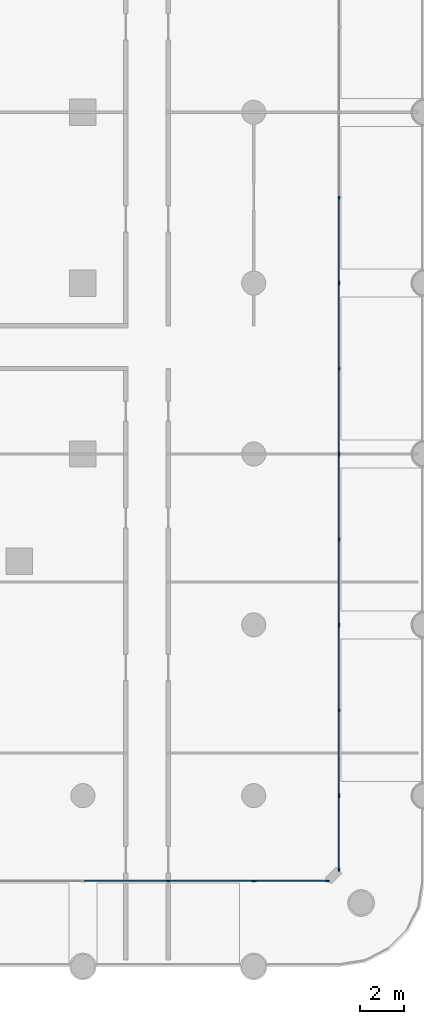
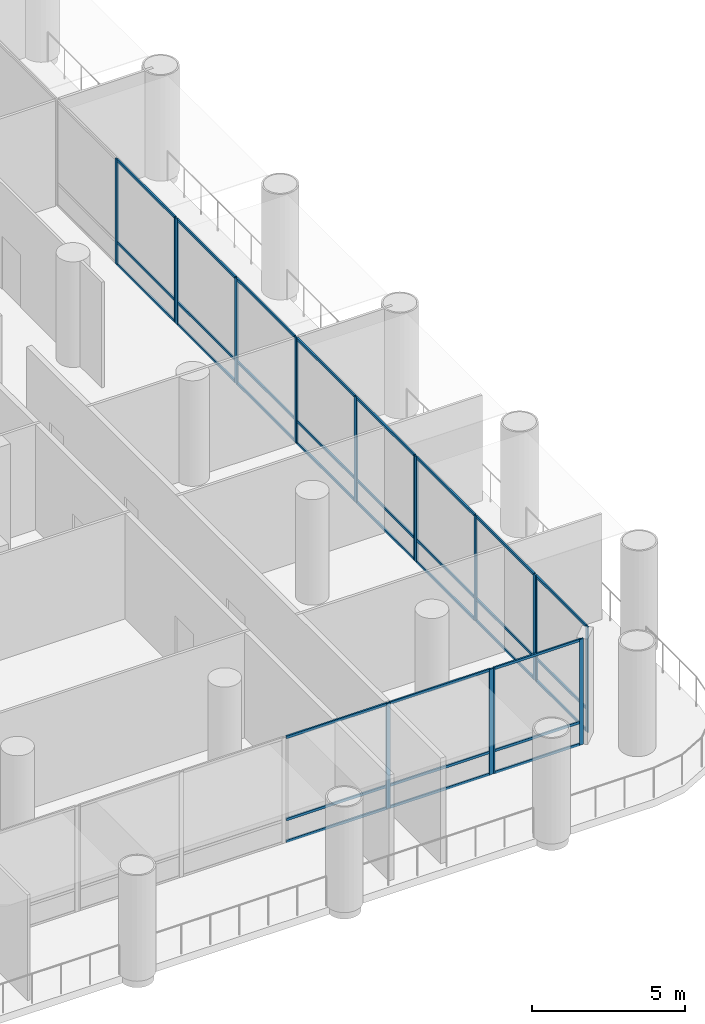
# One storey, part 6 of 24: 50 members, 7 elements without a shape of their own.
"""IFC4 building model written with IfcOpenShell, lengths in metres."""

from ifc_helpers import new_model, si_unit, direction, frame, origin, origin_2d, place, context, subcontext, project, spatial, rectangle, extrude, material, material_profile, profile_set, type_object, element, aggregate, save


model = new_model("IFC4")

# Units and contexts
model_context = context("Model", 3, precision=1e-05, world=origin(), true_north=direction((0.0, 1.0)))
body_context = subcontext(model_context, "Body", "Model", "MODEL_VIEW")
ifc_project = project(units=[si_unit("LENGTHUNIT", "METRE"), si_unit("AREAUNIT", "SQUARE_METRE"), si_unit("VOLUMEUNIT", "CUBIC_METRE"), si_unit("PLANEANGLEUNIT", "RADIAN"), si_unit("MASSUNIT", "GRAM", prefix="KILO")], contexts=[model_context])

# Site, building, storey
site_placement = place(None, origin())
site = spatial("IfcSite", under=ifc_project, at=site_placement, CompositionType="ELEMENT")
building_placement = place(site_placement, origin())
building = spatial("IfcBuilding", under=site, at=building_placement, Name="Ludao Terraces", CompositionType="ELEMENT")
storey_placement = place(building_placement, frame((0.0, 0.0, 6.0)))
storey = spatial("IfcBuildingStorey", under=building, at=storey_placement, Name="L01", CompositionType="ELEMENT", Elevation=6.0)

# Curtain wall, members
ifc_material_1 = material(Name="Aluminium curtain wall with fritted glass", Category="aluminium")
curtain_wall_type = type_object("IfcCurtainWallType", Name="ENV CW1 podium glazing", PredefinedType="NOTDEFINED", material=ifc_material_1)
curtain_wall_1_placement = place(storey_placement, origin())
curtain_wall_1 = element("IfcCurtainWall", 1, at=curtain_wall_1_placement, inside=storey, type_object=curtain_wall_type, Name="CW-L01-S9", PredefinedType="NOTDEFINED")
ifc_material_2 = material(Name="Aluminium 6063-T6", Category="aluminium")
ifc_material_profile_1 = material_profile(ifc_material_2, rectangle(XDim=0.06005859375, YDim=0.14990234375, at=origin_2d()), Name="60 X 150")
ifc_profile_set_1 = profile_set([ifc_material_profile_1], Name="Aluminium 6063-T6")
member_type_1 = type_object("IfcMemberType", Name="ENV CW1 mullion 60x150", PredefinedType="MULLION", material=ifc_profile_set_1)
member_1_placement = place(storey_placement, frame((112.300048828125, 29.89990234375, 0.0), z_axis=(0.0, 0.0, 1.0), x_axis=(0.0, 1.0, 0.0)))
member_1 = element("IfcMember", 2, at=member_1_placement, type_object=member_type_1, Name="CW1 mullion 2", PredefinedType="MULLION", context=body_context, shape_type="SweptSolid", body=[
    extrude(rectangle(XDim=0.06005859375, YDim=0.14990234375, at=origin_2d()), origin(), (0.0, 0.0, 1.0), 4.199951171875),
])
member_2_placement = place(storey_placement, frame((116.169921875, 29.89990234375, 0.0), z_axis=(0.0, 0.0, 1.0), x_axis=(0.0, 1.0, 0.0)))
member_2 = element("IfcMember", 3, at=member_2_placement, type_object=member_type_1, Name="CW1 mullion 3", PredefinedType="MULLION", context=body_context, shape_type="SweptSolid", body=[
    extrude(rectangle(XDim=0.06005859375, YDim=0.14990234375, at=origin_2d()), origin(), (0.0, 0.0, 1.0), 4.199951171875),
])

curtain_wall_2_placement = place(storey_placement, origin())
curtain_wall_2 = element("IfcCurtainWall", 4, at=curtain_wall_2_placement, inside=storey, type_object=curtain_wall_type, Name="CW-L01-S10", PredefinedType="NOTDEFINED")
member_3_placement = place(storey_placement, frame((116.22998046875, 29.89990234375, 0.0), z_axis=(0.0, 0.0, 1.0), x_axis=(0.0, 1.0, 0.0)))
member_3 = element("IfcMember", 5, at=member_3_placement, type_object=member_type_1, Name="CW1 mullion 1", PredefinedType="MULLION", context=body_context, shape_type="SweptSolid", body=[
    extrude(rectangle(XDim=0.06005859375, YDim=0.14990234375, at=origin_2d()), origin(), (0.0, 0.0, 1.0), 4.199951171875),
])
member_4_placement = place(storey_placement, frame((119.570068359375, 29.89990234375, 0.0), z_axis=(0.0, 0.0, 1.0), x_axis=(0.0, 1.0, 0.0)))
member_4 = element("IfcMember", 6, at=member_4_placement, type_object=member_type_1, Name="CW1 mullion 2", PredefinedType="MULLION", context=body_context, shape_type="SweptSolid", body=[
    extrude(rectangle(XDim=0.06005859375, YDim=0.14990234375, at=origin_2d()), origin(), (0.0, 0.0, 1.0), 4.199951171875),
])

curtain_wall_3_placement = place(storey_placement, origin())
curtain_wall_3 = element("IfcCurtainWall", 7, at=curtain_wall_3_placement, inside=storey, type_object=curtain_wall_type, Name="CW-L01-E1", PredefinedType="NOTDEFINED")
member_5_placement = place(storey_placement, frame((120.10009765625, 30.429931640625, 0.0), z_axis=(0.0, 0.0, 1.0), x_axis=(-1.0, 0.0, 0.0)))
member_5 = element("IfcMember", 8, at=member_5_placement, type_object=member_type_1, Name="CW1 mullion 1", PredefinedType="MULLION", context=body_context, shape_type="SweptSolid", body=[
    extrude(rectangle(XDim=0.06005859375, YDim=0.14990234375, at=origin_2d()), origin(), (0.0, 0.0, 1.0), 4.199951171875),
])
member_6_placement = place(storey_placement, frame((120.10009765625, 33.77001953125, 0.0), z_axis=(0.0, 0.0, 1.0), x_axis=(-1.0, 0.0, 0.0)))
member_6 = element("IfcMember", 9, at=member_6_placement, type_object=member_type_1, Name="CW1 mullion 2", PredefinedType="MULLION", context=body_context, shape_type="SweptSolid", body=[
    extrude(rectangle(XDim=0.06005859375, YDim=0.14990234375, at=origin_2d()), origin(), (0.0, 0.0, 1.0), 4.199951171875),
])

curtain_wall_4_placement = place(storey_placement, origin())
curtain_wall_4 = element("IfcCurtainWall", 10, at=curtain_wall_4_placement, inside=storey, type_object=curtain_wall_type, Name="CW-L01-E2", PredefinedType="NOTDEFINED")
member_7_placement = place(storey_placement, frame((120.10009765625, 33.830078125, 0.0), z_axis=(0.0, 0.0, 1.0), x_axis=(-1.0, 0.0, 0.0)))
member_7 = element("IfcMember", 11, at=member_7_placement, type_object=member_type_1, Name="CW1 mullion 1", PredefinedType="MULLION", context=body_context, shape_type="SweptSolid", body=[
    extrude(rectangle(XDim=0.06005859375, YDim=0.14990234375, at=origin_2d()), origin(), (0.0, 0.0, 1.0), 4.199951171875),
])
member_8_placement = place(storey_placement, frame((120.10009765625, 37.699951171875, 0.0), z_axis=(0.0, 0.0, 1.0), x_axis=(-1.0, 0.0, 0.0)))
member_8 = element("IfcMember", 12, at=member_8_placement, type_object=member_type_1, Name="CW1 mullion 2", PredefinedType="MULLION", context=body_context, shape_type="SweptSolid", body=[
    extrude(rectangle(XDim=0.06005859375, YDim=0.14990234375, at=origin_2d()), origin(), (0.0, 0.0, 1.0), 4.199951171875),
])
member_9_placement = place(storey_placement, frame((120.10009765625, 41.570068359375, 0.0), z_axis=(0.0, 0.0, 1.0), x_axis=(-1.0, 0.0, 0.0)))
member_9 = element("IfcMember", 13, at=member_9_placement, type_object=member_type_1, Name="CW1 mullion 3", PredefinedType="MULLION", context=body_context, shape_type="SweptSolid", body=[
    extrude(rectangle(XDim=0.06005859375, YDim=0.14990234375, at=origin_2d()), origin(), (0.0, 0.0, 1.0), 4.199951171875),
])

curtain_wall_5_placement = place(storey_placement, origin())
curtain_wall_5 = element("IfcCurtainWall", 14, at=curtain_wall_5_placement, inside=storey, type_object=curtain_wall_type, Name="CW-L01-E3", PredefinedType="NOTDEFINED")
member_10_placement = place(storey_placement, frame((120.10009765625, 41.6298828125, 0.0), z_axis=(0.0, 0.0, 1.0), x_axis=(-1.0, 0.0, 0.0)))
member_10 = element("IfcMember", 15, at=member_10_placement, type_object=member_type_1, Name="CW1 mullion 1", PredefinedType="MULLION", context=body_context, shape_type="SweptSolid", body=[
    extrude(rectangle(XDim=0.06005859375, YDim=0.14990234375, at=origin_2d()), origin(), (0.0, 0.0, 1.0), 4.199951171875),
])
member_11_placement = place(storey_placement, frame((120.10009765625, 45.5, 0.0), z_axis=(0.0, 0.0, 1.0), x_axis=(-1.0, 0.0, 0.0)))
member_11 = element("IfcMember", 16, at=member_11_placement, type_object=member_type_1, Name="CW1 mullion 2", PredefinedType="MULLION", context=body_context, shape_type="SweptSolid", body=[
    extrude(rectangle(XDim=0.06005859375, YDim=0.14990234375, at=origin_2d()), origin(), (0.0, 0.0, 1.0), 4.199951171875),
])
member_12_placement = place(storey_placement, frame((120.10009765625, 49.3701171875, 0.0), z_axis=(0.0, 0.0, 1.0), x_axis=(-1.0, 0.0, 0.0)))
member_12 = element("IfcMember", 17, at=member_12_placement, type_object=member_type_1, Name="CW1 mullion 3", PredefinedType="MULLION", context=body_context, shape_type="SweptSolid", body=[
    extrude(rectangle(XDim=0.06005859375, YDim=0.14990234375, at=origin_2d()), origin(), (0.0, 0.0, 1.0), 4.199951171875),
])

curtain_wall_6_placement = place(storey_placement, origin())
curtain_wall_6 = element("IfcCurtainWall", 18, at=curtain_wall_6_placement, inside=storey, type_object=curtain_wall_type, Name="CW-L01-E4", PredefinedType="NOTDEFINED")
member_13_placement = place(storey_placement, frame((120.10009765625, 49.429931640625, 0.0), z_axis=(0.0, 0.0, 1.0), x_axis=(-1.0, 0.0, 0.0)))
member_13 = element("IfcMember", 19, at=member_13_placement, type_object=member_type_1, Name="CW1 mullion 1", PredefinedType="MULLION", context=body_context, shape_type="SweptSolid", body=[
    extrude(rectangle(XDim=0.06005859375, YDim=0.14990234375, at=origin_2d()), origin(), (0.0, 0.0, 1.0), 4.199951171875),
])
member_14_placement = place(storey_placement, frame((120.10009765625, 53.300048828125, 0.0), z_axis=(0.0, 0.0, 1.0), x_axis=(-1.0, 0.0, 0.0)))
member_14 = element("IfcMember", 20, at=member_14_placement, type_object=member_type_1, Name="CW1 mullion 2", PredefinedType="MULLION", context=body_context, shape_type="SweptSolid", body=[
    extrude(rectangle(XDim=0.06005859375, YDim=0.14990234375, at=origin_2d()), origin(), (0.0, 0.0, 1.0), 4.199951171875),
])
member_15_placement = place(storey_placement, frame((120.10009765625, 57.169921875, 0.0), z_axis=(0.0, 0.0, 1.0), x_axis=(-1.0, 0.0, 0.0)))
member_15 = element("IfcMember", 21, at=member_15_placement, type_object=member_type_1, Name="CW1 mullion 3", PredefinedType="MULLION", context=body_context, shape_type="SweptSolid", body=[
    extrude(rectangle(XDim=0.06005859375, YDim=0.14990234375, at=origin_2d()), origin(), (0.0, 0.0, 1.0), 4.199951171875),
])

curtain_wall_7_placement = place(storey_placement, origin())
curtain_wall_7 = element("IfcCurtainWall", 22, at=curtain_wall_7_placement, inside=storey, type_object=curtain_wall_type, Name="CW-L01-E5", PredefinedType="NOTDEFINED")
member_16_placement = place(storey_placement, frame((120.10009765625, 57.22998046875, 0.0), z_axis=(0.0, 0.0, 1.0), x_axis=(-1.0, 0.0, 0.0)))
member_16 = element("IfcMember", 23, at=member_16_placement, type_object=member_type_1, Name="CW1 mullion 1", PredefinedType="MULLION", context=body_context, shape_type="SweptSolid", body=[
    extrude(rectangle(XDim=0.06005859375, YDim=0.14990234375, at=origin_2d()), origin(), (0.0, 0.0, 1.0), 4.199951171875),
])
member_17_placement = place(storey_placement, frame((120.10009765625, 61.10009765625, 0.0), z_axis=(0.0, 0.0, 1.0), x_axis=(-1.0, 0.0, 0.0)))
member_17 = element("IfcMember", 24, at=member_17_placement, type_object=member_type_1, Name="CW1 mullion 2", PredefinedType="MULLION", context=body_context, shape_type="SweptSolid", body=[
    extrude(rectangle(XDim=0.06005859375, YDim=0.14990234375, at=origin_2d()), origin(), (0.0, 0.0, 1.0), 4.199951171875),
])

# Member
ifc_material_profile_2 = material_profile(ifc_material_2, rectangle(XDim=0.06005859375, YDim=0.10009765625, at=origin_2d()), Name="60 X 100")
ifc_profile_set_2 = profile_set([ifc_material_profile_2], Name="Aluminium 6063-T6")
member_type_2 = type_object("IfcMemberType", Name="ENV CW1 transom 60x100", PredefinedType="USERDEFINED", material=ifc_profile_set_2)
member_18_placement = place(storey_placement, frame((108.4599609375, 29.89990234375, 0.030029296875), z_axis=(1.0, 0.0, 0.0), x_axis=(0.0, 1.0, 0.0)))
member_18 = element("IfcMember", 25, at=member_18_placement, type_object=member_type_2, Name="CW1 transom 1.1", ObjectType="TRANSOM", PredefinedType="USERDEFINED", context=body_context, shape_type="SweptSolid", body=[
    extrude(rectangle(XDim=0.06005859375, YDim=0.10009765625, at=origin_2d()), origin(), (0.0, 0.0, 1.0), 3.81005859375),
])

member_19_placement = place(storey_placement, frame((108.4599609375, 29.89990234375, 0.89990234375), z_axis=(1.0, 0.0, 0.0), x_axis=(0.0, 1.0, 0.0)))
member_19 = element("IfcMember", 26, at=member_19_placement, type_object=member_type_2, Name="CW1 transom 1.2", ObjectType="TRANSOM", PredefinedType="USERDEFINED", context=body_context, shape_type="SweptSolid", body=[
    extrude(rectangle(XDim=0.06005859375, YDim=0.10009765625, at=origin_2d()), origin(), (0.0, 0.0, 1.0), 3.81005859375),
])

member_20_placement = place(storey_placement, frame((108.4599609375, 29.89990234375, 4.169921875), z_axis=(1.0, 0.0, 0.0), x_axis=(0.0, 1.0, 0.0)))
member_20 = element("IfcMember", 27, at=member_20_placement, type_object=member_type_2, Name="CW1 transom 1.3", ObjectType="TRANSOM", PredefinedType="USERDEFINED", context=body_context, shape_type="SweptSolid", body=[
    extrude(rectangle(XDim=0.06005859375, YDim=0.10009765625, at=origin_2d()), origin(), (0.0, 0.0, 1.0), 3.81005859375),
])

member_21_placement = place(storey_placement, frame((112.330078125, 29.89990234375, 0.030029296875), z_axis=(1.0, 0.0, 0.0), x_axis=(0.0, 1.0, 0.0)))
member_21 = element("IfcMember", 28, at=member_21_placement, type_object=member_type_2, Name="CW1 transom 2.1", ObjectType="TRANSOM", PredefinedType="USERDEFINED", context=body_context, shape_type="SweptSolid", body=[
    extrude(rectangle(XDim=0.06005859375, YDim=0.10009765625, at=origin_2d()), origin(), (0.0, 0.0, 1.0), 3.809814453125),
])

member_22_placement = place(storey_placement, frame((112.330078125, 29.89990234375, 0.89990234375), z_axis=(1.0, 0.0, 0.0), x_axis=(0.0, 1.0, 0.0)))
member_22 = element("IfcMember", 29, at=member_22_placement, type_object=member_type_2, Name="CW1 transom 2.2", ObjectType="TRANSOM", PredefinedType="USERDEFINED", context=body_context, shape_type="SweptSolid", body=[
    extrude(rectangle(XDim=0.06005859375, YDim=0.10009765625, at=origin_2d()), origin(), (0.0, 0.0, 1.0), 3.809814453125),
])

member_23_placement = place(storey_placement, frame((112.330078125, 29.89990234375, 4.169921875), z_axis=(1.0, 0.0, 0.0), x_axis=(0.0, 1.0, 0.0)))
member_23 = element("IfcMember", 30, at=member_23_placement, type_object=member_type_2, Name="CW1 transom 2.3", ObjectType="TRANSOM", PredefinedType="USERDEFINED", context=body_context, shape_type="SweptSolid", body=[
    extrude(rectangle(XDim=0.06005859375, YDim=0.10009765625, at=origin_2d()), origin(), (0.0, 0.0, 1.0), 3.809814453125),
])

aggregate(curtain_wall_1, [member_1, member_2, member_18, member_19, member_20, member_21, member_22, member_23])

member_24_placement = place(storey_placement, frame((116.260009765625, 29.89990234375, 0.030029296875), z_axis=(1.0, 0.0, 0.0), x_axis=(0.0, 1.0, 0.0)))
member_24 = element("IfcMember", 31, at=member_24_placement, type_object=member_type_2, Name="CW1 transom 1.1", ObjectType="TRANSOM", PredefinedType="USERDEFINED", context=body_context, shape_type="SweptSolid", body=[
    extrude(rectangle(XDim=0.06005859375, YDim=0.10009765625, at=origin_2d()), origin(), (0.0, 0.0, 1.0), 3.280029296875),
])

member_25_placement = place(storey_placement, frame((116.260009765625, 29.89990234375, 0.89990234375), z_axis=(1.0, 0.0, 0.0), x_axis=(0.0, 1.0, 0.0)))
member_25 = element("IfcMember", 32, at=member_25_placement, type_object=member_type_2, Name="CW1 transom 1.2", ObjectType="TRANSOM", PredefinedType="USERDEFINED", context=body_context, shape_type="SweptSolid", body=[
    extrude(rectangle(XDim=0.06005859375, YDim=0.10009765625, at=origin_2d()), origin(), (0.0, 0.0, 1.0), 3.280029296875),
])

member_26_placement = place(storey_placement, frame((116.260009765625, 29.89990234375, 4.169921875), z_axis=(1.0, 0.0, 0.0), x_axis=(0.0, 1.0, 0.0)))
member_26 = element("IfcMember", 33, at=member_26_placement, type_object=member_type_2, Name="CW1 transom 1.3", ObjectType="TRANSOM", PredefinedType="USERDEFINED", context=body_context, shape_type="SweptSolid", body=[
    extrude(rectangle(XDim=0.06005859375, YDim=0.10009765625, at=origin_2d()), origin(), (0.0, 0.0, 1.0), 3.280029296875),
])

aggregate(curtain_wall_2, [member_3, member_4, member_24, member_25, member_26])

member_27_placement = place(storey_placement, frame((120.10009765625, 30.4599609375, 0.030029296875), z_axis=(0.0, 1.0, 0.0), x_axis=(-1.0, 0.0, 0.0)))
member_27 = element("IfcMember", 34, at=member_27_placement, type_object=member_type_2, Name="CW1 transom 1.1", ObjectType="TRANSOM", PredefinedType="USERDEFINED", context=body_context, shape_type="SweptSolid", body=[
    extrude(rectangle(XDim=0.06005859375, YDim=0.10009765625, at=origin_2d()), origin(), (0.0, 0.0, 1.0), 3.280029296875),
])

member_28_placement = place(storey_placement, frame((120.10009765625, 30.4599609375, 0.89990234375), z_axis=(0.0, 1.0, 0.0), x_axis=(-1.0, 0.0, 0.0)))
member_28 = element("IfcMember", 35, at=member_28_placement, type_object=member_type_2, Name="CW1 transom 1.2", ObjectType="TRANSOM", PredefinedType="USERDEFINED", context=body_context, shape_type="SweptSolid", body=[
    extrude(rectangle(XDim=0.06005859375, YDim=0.10009765625, at=origin_2d()), origin(), (0.0, 0.0, 1.0), 3.280029296875),
])

member_29_placement = place(storey_placement, frame((120.10009765625, 30.4599609375, 4.169921875), z_axis=(0.0, 1.0, 0.0), x_axis=(-1.0, 0.0, 0.0)))
member_29 = element("IfcMember", 36, at=member_29_placement, type_object=member_type_2, Name="CW1 transom 1.3", ObjectType="TRANSOM", PredefinedType="USERDEFINED", context=body_context, shape_type="SweptSolid", body=[
    extrude(rectangle(XDim=0.06005859375, YDim=0.10009765625, at=origin_2d()), origin(), (0.0, 0.0, 1.0), 3.280029296875),
])

aggregate(curtain_wall_3, [member_5, member_6, member_27, member_28, member_29])

member_30_placement = place(storey_placement, frame((120.10009765625, 33.860107421875, 0.030029296875), z_axis=(0.0, 1.0, 0.0), x_axis=(-1.0, 0.0, 0.0)))
member_30 = element("IfcMember", 37, at=member_30_placement, type_object=member_type_2, Name="CW1 transom 1.1", ObjectType="TRANSOM", PredefinedType="USERDEFINED", context=body_context, shape_type="SweptSolid", body=[
    extrude(rectangle(XDim=0.06005859375, YDim=0.10009765625, at=origin_2d()), origin(), (0.0, 0.0, 1.0), 3.809814453125),
])

member_31_placement = place(storey_placement, frame((120.10009765625, 33.860107421875, 0.89990234375), z_axis=(0.0, 1.0, 0.0), x_axis=(-1.0, 0.0, 0.0)))
member_31 = element("IfcMember", 38, at=member_31_placement, type_object=member_type_2, Name="CW1 transom 1.2", ObjectType="TRANSOM", PredefinedType="USERDEFINED", context=body_context, shape_type="SweptSolid", body=[
    extrude(rectangle(XDim=0.06005859375, YDim=0.10009765625, at=origin_2d()), origin(), (0.0, 0.0, 1.0), 3.809814453125),
])

member_32_placement = place(storey_placement, frame((120.10009765625, 33.860107421875, 4.169921875), z_axis=(0.0, 1.0, 0.0), x_axis=(-1.0, 0.0, 0.0)))
member_32 = element("IfcMember", 39, at=member_32_placement, type_object=member_type_2, Name="CW1 transom 1.3", ObjectType="TRANSOM", PredefinedType="USERDEFINED", context=body_context, shape_type="SweptSolid", body=[
    extrude(rectangle(XDim=0.06005859375, YDim=0.10009765625, at=origin_2d()), origin(), (0.0, 0.0, 1.0), 3.809814453125),
])

member_33_placement = place(storey_placement, frame((120.10009765625, 37.72998046875, 0.030029296875), z_axis=(0.0, 1.0, 0.0), x_axis=(-1.0, 0.0, 0.0)))
member_33 = element("IfcMember", 40, at=member_33_placement, type_object=member_type_2, Name="CW1 transom 2.1", ObjectType="TRANSOM", PredefinedType="USERDEFINED", context=body_context, shape_type="SweptSolid", body=[
    extrude(rectangle(XDim=0.06005859375, YDim=0.10009765625, at=origin_2d()), origin(), (0.0, 0.0, 1.0), 3.81005859375),
])

member_34_placement = place(storey_placement, frame((120.10009765625, 37.72998046875, 0.89990234375), z_axis=(0.0, 1.0, 0.0), x_axis=(-1.0, 0.0, 0.0)))
member_34 = element("IfcMember", 41, at=member_34_placement, type_object=member_type_2, Name="CW1 transom 2.2", ObjectType="TRANSOM", PredefinedType="USERDEFINED", context=body_context, shape_type="SweptSolid", body=[
    extrude(rectangle(XDim=0.06005859375, YDim=0.10009765625, at=origin_2d()), origin(), (0.0, 0.0, 1.0), 3.81005859375),
])

member_35_placement = place(storey_placement, frame((120.10009765625, 37.72998046875, 4.169921875), z_axis=(0.0, 1.0, 0.0), x_axis=(-1.0, 0.0, 0.0)))
member_35 = element("IfcMember", 42, at=member_35_placement, type_object=member_type_2, Name="CW1 transom 2.3", ObjectType="TRANSOM", PredefinedType="USERDEFINED", context=body_context, shape_type="SweptSolid", body=[
    extrude(rectangle(XDim=0.06005859375, YDim=0.10009765625, at=origin_2d()), origin(), (0.0, 0.0, 1.0), 3.81005859375),
])

aggregate(curtain_wall_4, [member_7, member_8, member_9, member_30, member_31, member_32, member_33, member_34, member_35])

member_36_placement = place(storey_placement, frame((120.10009765625, 41.659912109375, 0.030029296875), z_axis=(0.0, 1.0, 0.0), x_axis=(-1.0, 0.0, 0.0)))
member_36 = element("IfcMember", 43, at=member_36_placement, type_object=member_type_2, Name="CW1 transom 1.1", ObjectType="TRANSOM", PredefinedType="USERDEFINED", context=body_context, shape_type="SweptSolid", body=[
    extrude(rectangle(XDim=0.06005859375, YDim=0.10009765625, at=origin_2d()), origin(), (0.0, 0.0, 1.0), 3.81005859375),
])

member_37_placement = place(storey_placement, frame((120.10009765625, 41.659912109375, 0.89990234375), z_axis=(0.0, 1.0, 0.0), x_axis=(-1.0, 0.0, 0.0)))
member_37 = element("IfcMember", 44, at=member_37_placement, type_object=member_type_2, Name="CW1 transom 1.2", ObjectType="TRANSOM", PredefinedType="USERDEFINED", context=body_context, shape_type="SweptSolid", body=[
    extrude(rectangle(XDim=0.06005859375, YDim=0.10009765625, at=origin_2d()), origin(), (0.0, 0.0, 1.0), 3.81005859375),
])

member_38_placement = place(storey_placement, frame((120.10009765625, 41.659912109375, 4.169921875), z_axis=(0.0, 1.0, 0.0), x_axis=(-1.0, 0.0, 0.0)))
member_38 = element("IfcMember", 45, at=member_38_placement, type_object=member_type_2, Name="CW1 transom 1.3", ObjectType="TRANSOM", PredefinedType="USERDEFINED", context=body_context, shape_type="SweptSolid", body=[
    extrude(rectangle(XDim=0.06005859375, YDim=0.10009765625, at=origin_2d()), origin(), (0.0, 0.0, 1.0), 3.81005859375),
])

member_39_placement = place(storey_placement, frame((120.10009765625, 45.530029296875, 0.030029296875), z_axis=(0.0, 1.0, 0.0), x_axis=(-1.0, 0.0, 0.0)))
member_39 = element("IfcMember", 46, at=member_39_placement, type_object=member_type_2, Name="CW1 transom 2.1", ObjectType="TRANSOM", PredefinedType="USERDEFINED", context=body_context, shape_type="SweptSolid", body=[
    extrude(rectangle(XDim=0.06005859375, YDim=0.10009765625, at=origin_2d()), origin(), (0.0, 0.0, 1.0), 3.81005859375),
])

member_40_placement = place(storey_placement, frame((120.10009765625, 45.530029296875, 0.89990234375), z_axis=(0.0, 1.0, 0.0), x_axis=(-1.0, 0.0, 0.0)))
member_40 = element("IfcMember", 47, at=member_40_placement, type_object=member_type_2, Name="CW1 transom 2.2", ObjectType="TRANSOM", PredefinedType="USERDEFINED", context=body_context, shape_type="SweptSolid", body=[
    extrude(rectangle(XDim=0.06005859375, YDim=0.10009765625, at=origin_2d()), origin(), (0.0, 0.0, 1.0), 3.81005859375),
])

member_41_placement = place(storey_placement, frame((120.10009765625, 45.530029296875, 4.169921875), z_axis=(0.0, 1.0, 0.0), x_axis=(-1.0, 0.0, 0.0)))
member_41 = element("IfcMember", 48, at=member_41_placement, type_object=member_type_2, Name="CW1 transom 2.3", ObjectType="TRANSOM", PredefinedType="USERDEFINED", context=body_context, shape_type="SweptSolid", body=[
    extrude(rectangle(XDim=0.06005859375, YDim=0.10009765625, at=origin_2d()), origin(), (0.0, 0.0, 1.0), 3.81005859375),
])

aggregate(curtain_wall_5, [member_10, member_11, member_12, member_36, member_37, member_38, member_39, member_40, member_41])

member_42_placement = place(storey_placement, frame((120.10009765625, 49.4599609375, 0.030029296875), z_axis=(0.0, 1.0, 0.0), x_axis=(-1.0, 0.0, 0.0)))
member_42 = element("IfcMember", 49, at=member_42_placement, type_object=member_type_2, Name="CW1 transom 1.1", ObjectType="TRANSOM", PredefinedType="USERDEFINED", context=body_context, shape_type="SweptSolid", body=[
    extrude(rectangle(XDim=0.06005859375, YDim=0.10009765625, at=origin_2d()), origin(), (0.0, 0.0, 1.0), 3.81005859375),
])

member_43_placement = place(storey_placement, frame((120.10009765625, 49.4599609375, 0.89990234375), z_axis=(0.0, 1.0, 0.0), x_axis=(-1.0, 0.0, 0.0)))
member_43 = element("IfcMember", 50, at=member_43_placement, type_object=member_type_2, Name="CW1 transom 1.2", ObjectType="TRANSOM", PredefinedType="USERDEFINED", context=body_context, shape_type="SweptSolid", body=[
    extrude(rectangle(XDim=0.06005859375, YDim=0.10009765625, at=origin_2d()), origin(), (0.0, 0.0, 1.0), 3.81005859375),
])

member_44_placement = place(storey_placement, frame((120.10009765625, 49.4599609375, 4.169921875), z_axis=(0.0, 1.0, 0.0), x_axis=(-1.0, 0.0, 0.0)))
member_44 = element("IfcMember", 51, at=member_44_placement, type_object=member_type_2, Name="CW1 transom 1.3", ObjectType="TRANSOM", PredefinedType="USERDEFINED", context=body_context, shape_type="SweptSolid", body=[
    extrude(rectangle(XDim=0.06005859375, YDim=0.10009765625, at=origin_2d()), origin(), (0.0, 0.0, 1.0), 3.81005859375),
])

member_45_placement = place(storey_placement, frame((120.10009765625, 53.330078125, 0.030029296875), z_axis=(0.0, 1.0, 0.0), x_axis=(-1.0, 0.0, 0.0)))
member_45 = element("IfcMember", 52, at=member_45_placement, type_object=member_type_2, Name="CW1 transom 2.1", ObjectType="TRANSOM", PredefinedType="USERDEFINED", context=body_context, shape_type="SweptSolid", body=[
    extrude(rectangle(XDim=0.06005859375, YDim=0.10009765625, at=origin_2d()), origin(), (0.0, 0.0, 1.0), 3.809814453125),
])

member_46_placement = place(storey_placement, frame((120.10009765625, 53.330078125, 0.89990234375), z_axis=(0.0, 1.0, 0.0), x_axis=(-1.0, 0.0, 0.0)))
member_46 = element("IfcMember", 53, at=member_46_placement, type_object=member_type_2, Name="CW1 transom 2.2", ObjectType="TRANSOM", PredefinedType="USERDEFINED", context=body_context, shape_type="SweptSolid", body=[
    extrude(rectangle(XDim=0.06005859375, YDim=0.10009765625, at=origin_2d()), origin(), (0.0, 0.0, 1.0), 3.809814453125),
])

member_47_placement = place(storey_placement, frame((120.10009765625, 53.330078125, 4.169921875), z_axis=(0.0, 1.0, 0.0), x_axis=(-1.0, 0.0, 0.0)))
member_47 = element("IfcMember", 54, at=member_47_placement, type_object=member_type_2, Name="CW1 transom 2.3", ObjectType="TRANSOM", PredefinedType="USERDEFINED", context=body_context, shape_type="SweptSolid", body=[
    extrude(rectangle(XDim=0.06005859375, YDim=0.10009765625, at=origin_2d()), origin(), (0.0, 0.0, 1.0), 3.809814453125),
])

aggregate(curtain_wall_6, [member_13, member_14, member_15, member_42, member_43, member_44, member_45, member_46, member_47])

member_48_placement = place(storey_placement, frame((120.10009765625, 57.260009765625, 0.030029296875), z_axis=(0.0, 1.0, 0.0), x_axis=(-1.0, 0.0, 0.0)))
member_48 = element("IfcMember", 55, at=member_48_placement, type_object=member_type_2, Name="CW1 transom 1.1", ObjectType="TRANSOM", PredefinedType="USERDEFINED", context=body_context, shape_type="SweptSolid", body=[
    extrude(rectangle(XDim=0.06005859375, YDim=0.10009765625, at=origin_2d()), origin(), (0.0, 0.0, 1.0), 3.81005859375),
])

member_49_placement = place(storey_placement, frame((120.10009765625, 57.260009765625, 0.89990234375), z_axis=(0.0, 1.0, 0.0), x_axis=(-1.0, 0.0, 0.0)))
member_49 = element("IfcMember", 56, at=member_49_placement, type_object=member_type_2, Name="CW1 transom 1.2", ObjectType="TRANSOM", PredefinedType="USERDEFINED", context=body_context, shape_type="SweptSolid", body=[
    extrude(rectangle(XDim=0.06005859375, YDim=0.10009765625, at=origin_2d()), origin(), (0.0, 0.0, 1.0), 3.81005859375),
])

member_50_placement = place(storey_placement, frame((120.10009765625, 57.260009765625, 4.169921875), z_axis=(0.0, 1.0, 0.0), x_axis=(-1.0, 0.0, 0.0)))
member_50 = element("IfcMember", 57, at=member_50_placement, type_object=member_type_2, Name="CW1 transom 1.3", ObjectType="TRANSOM", PredefinedType="USERDEFINED", context=body_context, shape_type="SweptSolid", body=[
    extrude(rectangle(XDim=0.06005859375, YDim=0.10009765625, at=origin_2d()), origin(), (0.0, 0.0, 1.0), 3.81005859375),
])

aggregate(curtain_wall_7, [member_16, member_17, member_48, member_49, member_50])

save(model, "model.ifc")
